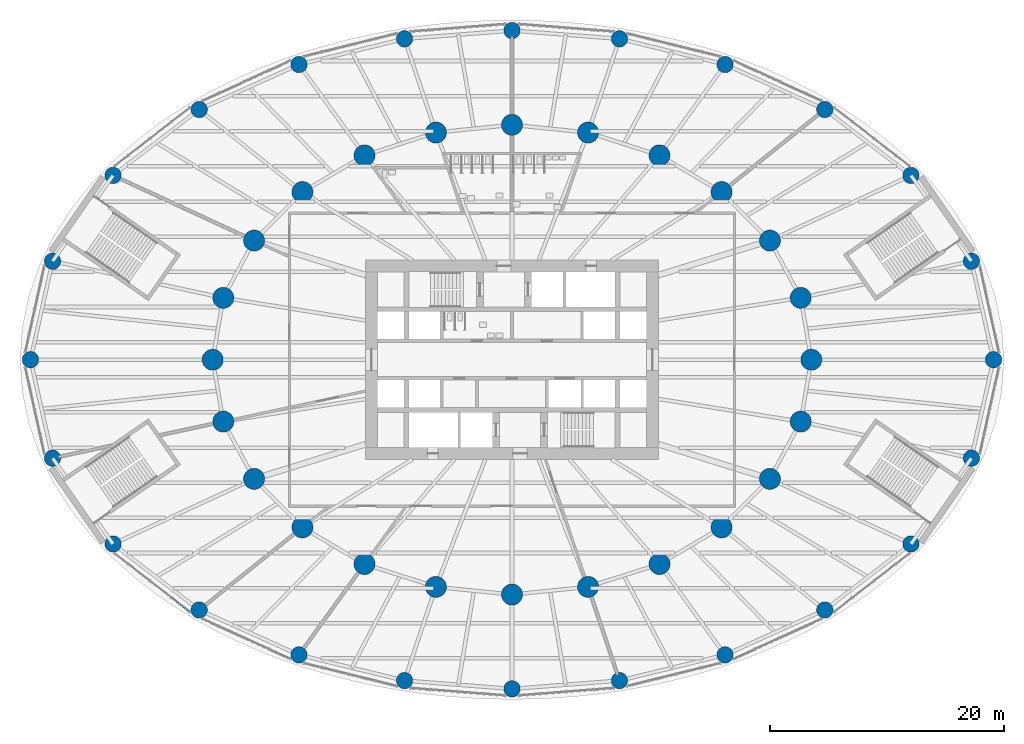
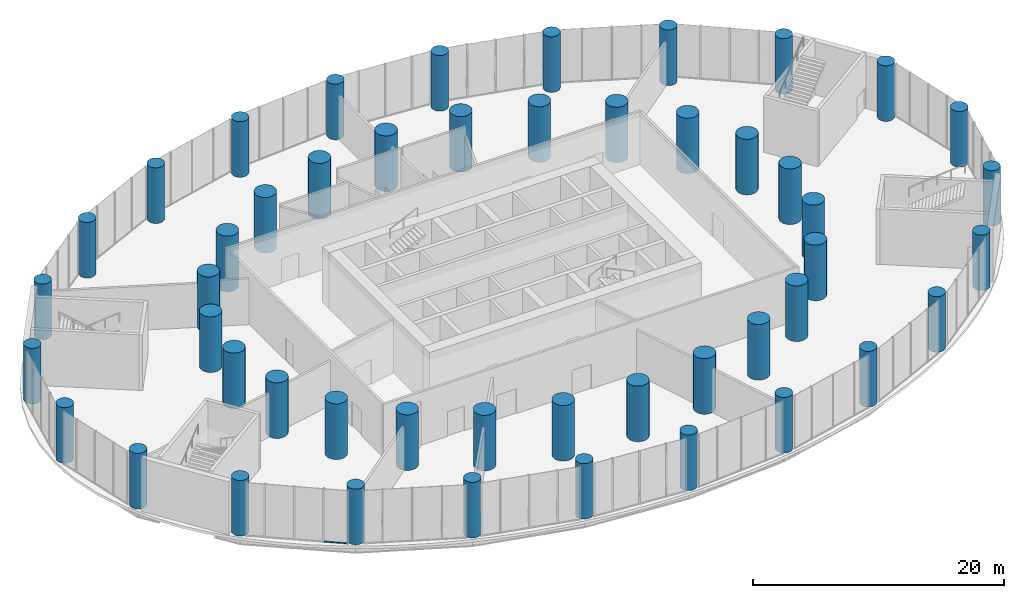
# One storey, part 1 of 21: 48 columns, 1 member, 1 element without a shape of its own.
"""IFC4 building model written with IfcOpenShell, lengths in metres."""

import ifcopenshell
import ifcopenshell.guid

model = None  # the IFC model being written
_history = None  # IfcOwnerHistory: only IFC2X3 demands one
_inside = {}  # id of a spatial element -> (the spatial element, [elements in it])
_under = {}  # id of a project, library or spatial element -> (it, [spatial elements below it])
_declared = {}  # id of a project -> (the project, [libraries it declares])
_typed = {}  # id of a type object -> (the type object, [elements of that type])
_made_of = {}  # id of a material, layer set ... -> (it, [elements and type objects made of it])


def new_model(schema):
    """Start an empty IFC model of exactly this schema.

    Asked for "IFC4X3", IfcOpenShell would pick the latest addendum, in which some entities
    have other attributes; the version numbers below select the first issue.
    IFC2X3 requires an IfcOwnerHistory on every rooted entity: one is made here for all.
    """
    global model, _history
    if schema == "IFC4X3":
        model = ifcopenshell.file(schema_version=(4, 3, 0, 0))
    else:
        model = ifcopenshell.file(schema=schema)
    _inside.clear()
    _under.clear()
    _declared.clear()
    _typed.clear()
    _made_of.clear()
    _history = None
    if model.schema == "IFC2X3":
        org = make("IfcOrganization", Name="unknown")
        user = make(
            "IfcPersonAndOrganization",
            ThePerson=make("IfcPerson", FamilyName="unknown"),
            TheOrganization=org,
        )
        app = make(
            "IfcApplication",
            ApplicationDeveloper=org,
            Version="unknown",
            ApplicationFullName="unknown",
            ApplicationIdentifier="unknown",
        )
        _history = make(
            "IfcOwnerHistory",
            OwningUser=user,
            OwningApplication=app,
            ChangeAction="ADDED",
            CreationDate=0,
        )
    return model


def make(cls, **values):
    """One entity of the class cls with the attributes given. An attribute that is None is left unset."""
    return model.create_entity(
        cls, **{name: value for name, value in values.items() if value is not None}
    )


def rooted(cls, **values):
    """An entity with a GlobalId (a new one), such as an element, a storey or a relation."""
    return make(cls, GlobalId=ifcopenshell.guid.new(), OwnerHistory=_history, **values)


def si_unit(unit_type, name, prefix=None):
    """IfcSIUnit, for example si_unit("LENGTHUNIT", "METRE", prefix="MILLI")."""
    return make("IfcSIUnit", UnitType=unit_type, Prefix=prefix, Name=name)


def assignment(units):
    """IfcUnitAssignment: the units of a project."""
    return None if units is None else make("IfcUnitAssignment", Units=units)


def point(xyz):
    """IfcCartesianPoint."""
    return None if xyz is None else make("IfcCartesianPoint", Coordinates=xyz)


def direction(xyz):
    """IfcDirection."""
    return None if xyz is None else make("IfcDirection", DirectionRatios=xyz)


def frame(location, z_axis=None, x_axis=None):
    """IfcAxis2Placement3D, a coordinate frame: its origin and axes. An axis left out is left unset."""
    return make(
        "IfcAxis2Placement3D",
        Location=point(location),
        Axis=direction(z_axis),
        RefDirection=direction(x_axis),
    )


def frame_2d(location, x_axis=None):
    """IfcAxis2Placement2D, a coordinate frame in the plane: its origin and x axis."""
    return make(
        "IfcAxis2Placement2D", Location=point(location), RefDirection=direction(x_axis)
    )


def origin():
    """The frame at (0, 0, 0) with its axes left unset."""
    return frame((0.0, 0.0, 0.0))


def origin_2d():
    """The frame at (0, 0) in the plane with its x axis left unset."""
    return frame_2d((0.0, 0.0))


def place(relative_to, where):
    """IfcLocalPlacement: puts the frame where relative to a parent placement (None: the world)."""
    return make(
        "IfcLocalPlacement", PlacementRelTo=relative_to, RelativePlacement=where
    )


def context(
    kind, dimensions, precision=None, world=None, true_north=None, identifier=None
):
    """IfcGeometricRepresentationContext, for example the 3D "Model" context."""
    return make(
        "IfcGeometricRepresentationContext",
        ContextIdentifier=identifier,
        ContextType=kind,
        CoordinateSpaceDimension=dimensions,
        Precision=precision,
        WorldCoordinateSystem=world,
        TrueNorth=true_north,
    )


def subcontext(parent, identifier, kind, view, scale=None):
    """IfcGeometricRepresentationSubContext, for example "Body" below "Model"."""
    return make(
        "IfcGeometricRepresentationSubContext",
        ContextIdentifier=identifier,
        ContextType=kind,
        ParentContext=parent,
        TargetScale=scale,
        TargetView=view,
    )


def project(units=None, contexts=None):
    """IfcProject with its units and contexts."""
    return rooted(
        "IfcProject",
        Name="project",
        RepresentationContexts=contexts,
        UnitsInContext=assignment(units),
    )


def spatial(cls, under=None, at=None, **own):
    """A site, building, storey or space (cls), placed at a placement, below another one or the project."""
    s = rooted(cls, ObjectPlacement=at, **own)
    if under is not None:
        _under.setdefault(under.id(), (under, []))[1].append(s)
    return s


def profile(cls, at=None, kind="AREA", **sizes):
    """A parametric profile (cls). Its sizes go by their IFC names, for example OverallWidth=200.0."""
    return make(cls, ProfileType=kind, Position=at, **sizes)


def rectangle(**sizes):
    """IfcRectangleProfileDef."""
    return profile("IfcRectangleProfileDef", **sizes)


def circle(**sizes):
    """IfcCircleProfileDef."""
    return profile("IfcCircleProfileDef", **sizes)


def extrude(swept, where, along, depth):
    """IfcExtrudedAreaSolid: the profile swept, set in the frame where, extruded along a direction by depth."""
    return make(
        "IfcExtrudedAreaSolid",
        SweptArea=swept,
        Position=where,
        ExtrudedDirection=direction(along),
        Depth=depth,
    )


def shape(context_of_items, identifier, shape_type, items):
    """IfcShapeRepresentation: the items that make up one representation, for example the "Body"."""
    return make(
        "IfcShapeRepresentation",
        ContextOfItems=context_of_items,
        RepresentationIdentifier=identifier,
        RepresentationType=shape_type,
        Items=items,
    )


def material(Name=None, Category=None):
    """IfcMaterial."""
    return make("IfcMaterial", Name=Name, Category=Category)


def material_profile(
    of_material, cross_section, Name=None, Category=None, Priority=None
):
    """IfcMaterialProfile: a cross section and its material."""
    return make(
        "IfcMaterialProfile",
        Name=Name,
        Material=of_material,
        Profile=cross_section,
        Priority=Priority,
        Category=Category,
    )


def profile_set(profiles, Name=None, composite=None):
    """IfcMaterialProfileSet."""
    return make(
        "IfcMaterialProfileSet",
        Name=Name,
        MaterialProfiles=profiles,
        CompositeProfile=composite,
    )


def made_of(thing, what):
    """Note that an element or type object is made of a material, layer set ...; save() writes the relation."""
    if what is not None:
        _made_of.setdefault(what.id(), (what, []))[1].append(thing)
    return thing


def type_object(cls, material=None, **own):
    """A type object (cls), such as IfcWallType, which elements share."""
    return made_of(rooted(cls, **own), material)


def element(
    cls,
    number,
    at=None,
    inside=None,
    cuts=None,
    type_object=None,
    material=None,
    context=None,
    identifier="Body",
    shape_type=None,
    held_by="IfcProductDefinitionShape",
    body=None,
    shapes=None,
    **own,
):
    """One element of the class cls, such as IfcWall. Its Tag is "e" and its number.

    at: its placement. inside: the storey or other place that contains it. cuts: it is an
    opening in that element (IfcRelVoidsElement). A single representation is given by context,
    identifier, shape_type and body (its items); several are given by shapes. held_by: the class
    of the entity that holds the representations. save() writes the other relations.
    """
    e = rooted(cls, Tag="e%d" % number, ObjectPlacement=at, **own)
    if body is not None:
        shapes = [shape(context, identifier, shape_type, body)]
    if shapes is not None:
        e.Representation = make(held_by, Representations=shapes)
    if inside is not None:
        _inside.setdefault(inside.id(), (inside, []))[1].append(e)
    if cuts is not None:
        rooted(
            "IfcRelVoidsElement", RelatingBuildingElement=cuts, RelatedOpeningElement=e
        )
    if type_object is not None:
        _typed.setdefault(type_object.id(), (type_object, []))[1].append(e)
    return made_of(e, material)


def aggregate(whole, parts):
    """IfcRelAggregates: a whole, such as a stair, and the parts it consists of."""
    return rooted("IfcRelAggregates", RelatingObject=whole, RelatedObjects=parts)


def save(model, path):
    """Write the relations noted so far, then the file.

    IfcRelAggregates (storeys below a building ...), IfcRelContainedInSpatialStructure (elements
    in a storey), IfcRelDefinesByType, IfcRelAssociatesMaterial and IfcRelDeclares: one each for
    every whole, place, type object, material and project.
    """
    for whole, parts in _under.values():
        aggregate(whole, parts)
    for where, things in _inside.values():
        rooted(
            "IfcRelContainedInSpatialStructure",
            RelatedElements=things,
            RelatingStructure=where,
        )
    for kind, things in _typed.values():
        rooted("IfcRelDefinesByType", RelatedObjects=things, RelatingType=kind)
    for what, things in _made_of.values():
        rooted("IfcRelAssociatesMaterial", RelatedObjects=things, RelatingMaterial=what)
    for by, libraries in _declared.values():
        rooted("IfcRelDeclares", RelatingContext=by, RelatedDefinitions=libraries)
    model.write(path)


model = new_model("IFC4")

# Units and contexts
model_context = context("Model", 3, precision=1e-05, world=origin(), true_north=direction((0.0, 1.0)))
body_context = subcontext(model_context, "Body", "Model", "MODEL_VIEW")
ifc_project = project(units=[si_unit("LENGTHUNIT", "METRE"), si_unit("AREAUNIT", "SQUARE_METRE"), si_unit("VOLUMEUNIT", "CUBIC_METRE"), si_unit("PLANEANGLEUNIT", "RADIAN"), si_unit("MASSUNIT", "GRAM", prefix="KILO")], contexts=[model_context])

# Site, building, storey
site_placement = place(None, origin())
site = spatial("IfcSite", under=ifc_project, at=site_placement, CompositionType="ELEMENT")
building_placement = place(site_placement, origin())
building = spatial("IfcBuilding", under=site, at=building_placement, Name="Hankou Lantern Tower", CompositionType="ELEMENT")
storey_placement = place(building_placement, frame((0.0, 0.0, 13.800048828125)))
storey = spatial("IfcBuildingStorey", under=building, at=storey_placement, Name="L02", CompositionType="ELEMENT", Elevation=13.800048828125)

# Columns
ifc_material_1 = material(Name="Concrete C60", Category="concrete")
ifc_material_profile_1 = material_profile(ifc_material_1, circle(Radius=0.699951171875, at=origin_2d()), Name="RC D1400")
ifc_profile_set_1 = profile_set([ifc_material_profile_1], Name="Concrete C60")
column_type_1 = type_object("IfcColumnType", Name="PC1 PODIUM COLUMN RC D1400", PredefinedType="COLUMN", material=ifc_profile_set_1)
for number, where, z_axis, x_axis, name in (
    (1, (41.10009765625, 0.0, 0.0), (0.0, 0.0, 1.0), (1.0, 0.0, 0.0), "Podium column R01 L02"),
    (2, (39.217529296875, 8.40673828125, 0.0), (0.0, 0.0, 1.0), (1.0, 0.0, 0.0), "Podium column R02 L02"),
    (3, (34.056884765625, 15.730224609375, 0.0), (0.0, 0.0, 1.0), (1.0, 0.0, 0.0), "Podium column R03 L02"),
    (4, (26.7021484375, 21.361572265625, 0.0), (0.0, 0.0, 1.0), (1.0, 0.0, 0.0), "Podium column R04 L02"),
    (5, (18.18603515625, 25.199462890625, 0.0), (0.0, 0.0, 1.0), (1.0, 0.0, 0.0), "Podium column R05 L02"),
    (6, (9.17431640625, 27.39111328125, 0.0), (0.0, 0.0, 1.0), (1.0, 0.0, 0.0), "Podium column R06 L02"),
    (7, (0.0, 28.10009765625, 0.0), (0.0, 0.0, 1.0), (1.0, 0.0, 0.0), "Podium column R07 L02"),
    (8, (-9.17431640625, 27.39111328125, 0.0), (0.0, 0.0, 1.0), (1.0, 0.0, 0.0), "Podium column R08 L02"),
    (9, (-18.18603515625, 25.199462890625, 0.0), (0.0, 0.0, 1.0), (1.0, 0.0, 0.0), "Podium column R09 L02"),
    (10, (-26.7021484375, 21.361572265625, 0.0), (0.0, 0.0, 1.0), (1.0, 0.0, 0.0), "Podium column R10 L02"),
    (11, (-34.056884765625, 15.730224609375, 0.0), (0.0, 0.0, 1.0), (1.0, 0.0, 0.0), "Podium column R11 L02"),
    (12, (-39.217529296875, 8.40673828125, 0.0), (0.0, 0.0, 1.0), (1.0, 0.0, 0.0), "Podium column R12 L02"),
    (13, (-41.10009765625, 0.0, 0.0), (0.0, 0.0, 1.0), (1.0, 0.0, 0.0), "Podium column R13 L02"),
    (14, (-39.217529296875, -8.40673828125, 0.0), (0.0, 0.0, 1.0), (1.0, 0.0, 0.0), "Podium column R14 L02"),
    (15, (-34.056884765625, -15.730224609375, 0.0), (0.0, 0.0, 1.0), (1.0, 0.0, 0.0), "Podium column R15 L02"),
    (16, (-26.7021484375, -21.361572265625, 0.0), (0.0, 0.0, 1.0), (1.0, 0.0, 0.0), "Podium column R16 L02"),
    (17, (-18.18603515625, -25.199462890625, 0.0), (0.0, 0.0, 1.0), (1.0, 0.0, 0.0), "Podium column R17 L02"),
    (18, (-9.17431640625, -27.39111328125, 0.0), (0.0, 0.0, 1.0), (1.0, 0.0, 0.0), "Podium column R18 L02"),
    (19, (0.0, -28.10009765625, 0.0), (0.0, 0.0, 1.0), (1.0, 0.0, 0.0), "Podium column R19 L02"),
    (20, (9.17431640625, -27.39111328125, 0.0), (0.0, 0.0, 1.0), (1.0, 0.0, 0.0), "Podium column R20 L02"),
    (21, (18.18603515625, -25.199462890625, 0.0), (0.0, 0.0, 1.0), (1.0, 0.0, 0.0), "Podium column R21 L02"),
    (22, (26.7021484375, -21.361572265625, 0.0), (0.0, 0.0, 1.0), (1.0, 0.0, 0.0), "Podium column R22 L02"),
    (23, (34.056884765625, -15.730224609375, 0.0), (0.0, 0.0, 1.0), (1.0, 0.0, 0.0), "Podium column R23 L02"),
    (24, (39.217529296875, -8.40673828125, 0.0), (0.0, 0.0, 1.0), (1.0, 0.0, 0.0), "Podium column R24 L02"),
):
    element("IfcColumn", number, at=place(storey_placement, frame(where, z_axis=z_axis, x_axis=x_axis)), inside=storey, type_object=column_type_1, Name=name, PredefinedType="COLUMN", context=body_context, shape_type="SweptSolid", body=[
        extrude(circle(Radius=0.699951171875, at=origin_2d()), origin(), (0.0, 0.0, 1.0), 5.39990234375),
    ])
ifc_material_2 = material(Name="Concrete C60", Category="concrete")
ifc_material_profile_2 = material_profile(ifc_material_2, circle(Radius=0.89990234375, at=origin_2d()), Name="RC D1800")
ifc_profile_set_2 = profile_set([ifc_material_profile_2], Name="Concrete C60")
column_type_2 = type_object("IfcColumnType", Name="TC1 PERIMETER COLUMN RC D1800", PredefinedType="COLUMN", material=ifc_profile_set_2)
for number, where, z_axis, x_axis, name in (
    (25, (25.550048828125, 0.0, 0.0), (0.0, 0.0, 1.0), (1.0, 0.0, 0.0), "Column R01 L02"),
    (26, (24.64697265625, 5.283203125, 0.0), (0.0, 0.0, 1.0), (1.0, 0.0, 0.0), "Column R02 L02"),
    (27, (22.01904296875, 10.170166015625, 0.0), (0.0, 0.0, 1.0), (1.0, 0.0, 0.0), "Column R03 L02"),
    (28, (17.891845703125, 14.3134765625, 0.0), (0.0, 0.0, 1.0), (1.0, 0.0, 0.0), "Column R04 L02"),
    (29, (12.5908203125, 17.446533203125, 0.0), (0.0, 0.0, 1.0), (1.0, 0.0, 0.0), "Column R05 L02"),
    (30, (6.494873046875, 19.391357421875, 0.0), (0.0, 0.0, 1.0), (1.0, 0.0, 0.0), "Column R06 L02"),
    (31, (0.0, 20.050048828125, 0.0), (0.0, 0.0, 1.0), (1.0, 0.0, 0.0), "Column R07 L02"),
    (32, (-6.494873046875, 19.391357421875, 0.0), (0.0, 0.0, 1.0), (1.0, 0.0, 0.0), "Column R08 L02"),
    (33, (-12.5908203125, 17.446533203125, 0.0), (0.0, 0.0, 1.0), (1.0, 0.0, 0.0), "Column R09 L02"),
    (34, (-17.891845703125, 14.3134765625, 0.0), (0.0, 0.0, 1.0), (1.0, 0.0, 0.0), "Column R10 L02"),
    (35, (-22.01904296875, 10.170166015625, 0.0), (0.0, 0.0, 1.0), (1.0, 0.0, 0.0), "Column R11 L02"),
    (36, (-24.64697265625, 5.283203125, 0.0), (0.0, 0.0, 1.0), (1.0, 0.0, 0.0), "Column R12 L02"),
    (37, (-25.550048828125, 0.0, 0.0), (0.0, 0.0, 1.0), (1.0, 0.0, 0.0), "Column R13 L02"),
    (38, (-24.64697265625, -5.283203125, 0.0), (0.0, 0.0, 1.0), (1.0, 0.0, 0.0), "Column R14 L02"),
    (39, (-22.01904296875, -10.170166015625, 0.0), (0.0, 0.0, 1.0), (1.0, 0.0, 0.0), "Column R15 L02"),
    (40, (-17.891845703125, -14.3134765625, 0.0), (0.0, 0.0, 1.0), (1.0, 0.0, 0.0), "Column R16 L02"),
    (41, (-12.5908203125, -17.446533203125, 0.0), (0.0, 0.0, 1.0), (1.0, 0.0, 0.0), "Column R17 L02"),
    (42, (-6.494873046875, -19.391357421875, 0.0), (0.0, 0.0, 1.0), (1.0, 0.0, 0.0), "Column R18 L02"),
    (43, (0.0, -20.050048828125, 0.0), (0.0, 0.0, 1.0), (1.0, 0.0, 0.0), "Column R19 L02"),
    (44, (6.494873046875, -19.391357421875, 0.0), (0.0, 0.0, 1.0), (1.0, 0.0, 0.0), "Column R20 L02"),
    (45, (12.5908203125, -17.446533203125, 0.0), (0.0, 0.0, 1.0), (1.0, 0.0, 0.0), "Column R21 L02"),
    (46, (17.891845703125, -14.3134765625, 0.0), (0.0, 0.0, 1.0), (1.0, 0.0, 0.0), "Column R22 L02"),
    (47, (22.01904296875, -10.170166015625, 0.0), (0.0, 0.0, 1.0), (1.0, 0.0, 0.0), "Column R23 L02"),
    (48, (24.64697265625, -5.283203125, 0.0), (0.0, 0.0, 1.0), (1.0, 0.0, 0.0), "Column R24 L02"),
):
    element("IfcColumn", number, at=place(storey_placement, frame(where, z_axis=z_axis, x_axis=x_axis)), inside=storey, type_object=column_type_2, Name=name, PredefinedType="COLUMN", context=body_context, shape_type="SweptSolid", body=[
        extrude(circle(Radius=0.89990234375, at=origin_2d()), origin(), (0.0, 0.0, 1.0), 5.39990234375),
    ])

# Curtain wall, member
ifc_material_3 = material(Name="Glass, dark grey tinted laminated", Category="glass")
curtain_wall_type = type_object("IfcCurtainWallType", Name="CWP PODIUM CURTAIN WALL", PredefinedType="USERDEFINED", material=ifc_material_3)
curtain_wall_placement = place(storey_placement, origin())
curtain_wall = element("IfcCurtainWall", 49, at=curtain_wall_placement, inside=storey, type_object=curtain_wall_type, Name="CWP L02 PC11", ObjectType="PODIUM GLAZING", PredefinedType="USERDEFINED")
ifc_material_4 = material(Name="Aluminium, black anodised", Category="aluminium")
ifc_material_profile_3 = material_profile(ifc_material_4, rectangle(XDim=0.14990234375, YDim=0.080078125, at=origin_2d()), Name="TR2 150X80")
ifc_profile_set_3 = profile_set([ifc_material_profile_3], Name="Aluminium, black anodised")
member_type = type_object("IfcMemberType", Name="TR2 PODIUM TRANSOM 150X80", PredefinedType="USERDEFINED", material=ifc_profile_set_3)
member_placement = place(storey_placement, frame((-29.021484375, -20.340087890625, 0.0400390625), z_axis=(0.790098015443, -0.612980526601, 0.0), x_axis=(0.612980526601, 0.790098015443, 0.0)))
member = element("IfcMember", 50, at=member_placement, type_object=member_type, Name="CWP transom 4", ObjectType="TRANSOM", PredefinedType="USERDEFINED", context=body_context, shape_type="SweptSolid", body=[
    extrude(rectangle(XDim=0.14990234375, YDim=0.080078125, at=origin_2d()), origin(), (0.0, 0.0, 1.0), 1.902099609375),
])
aggregate(curtain_wall, [member])

save(model, "model.ifc")
